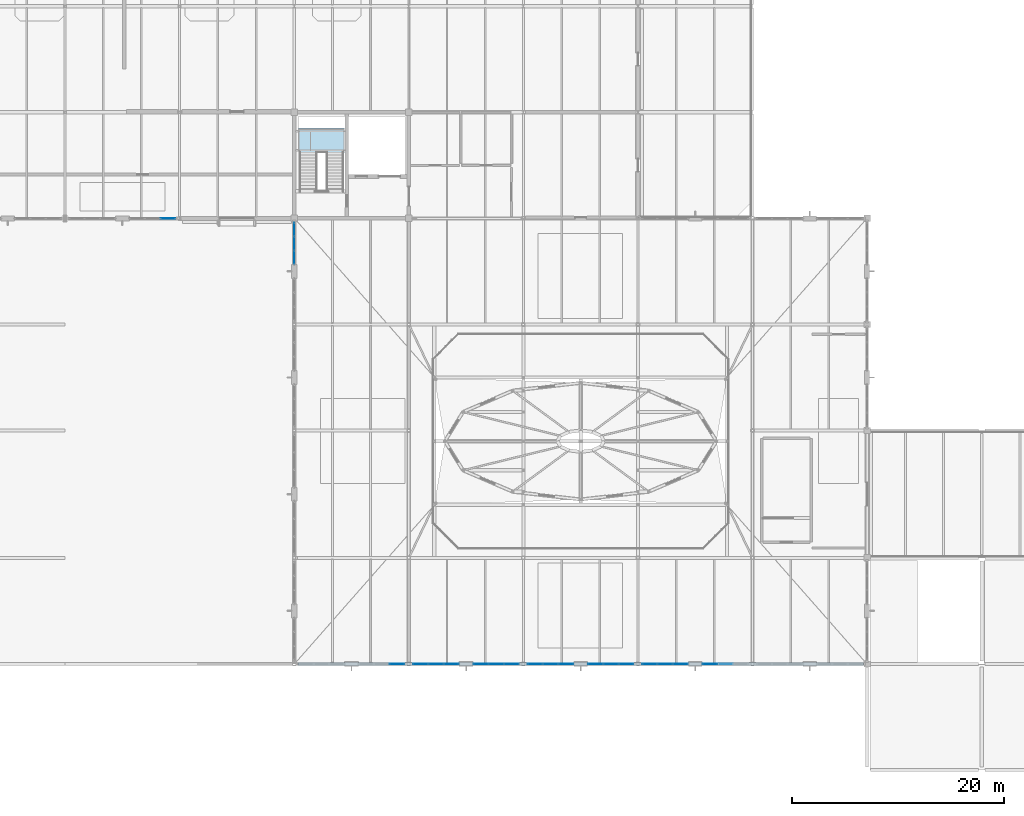
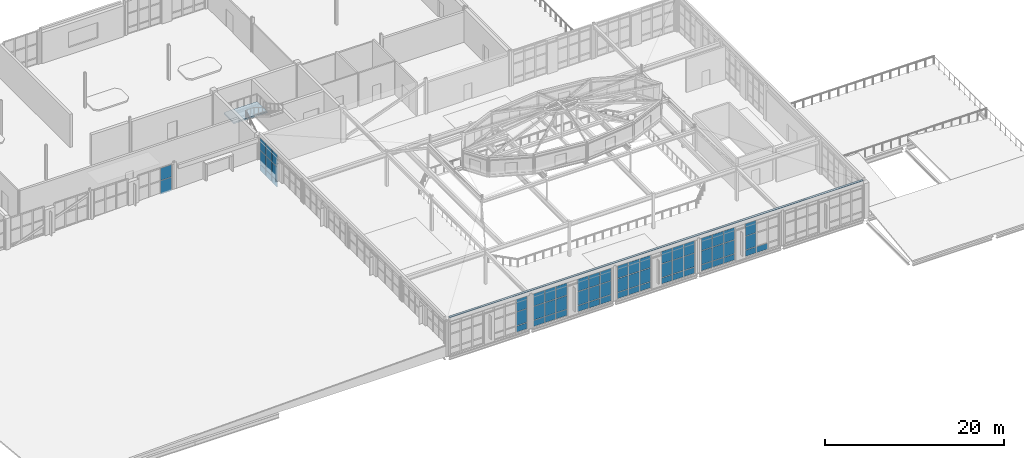
# One storey, part 60 of 86: 64 plates, 1 slab, 10 elements without a shape of their own.
"""IFC4 building model written with IfcOpenShell, lengths in metres."""

from ifc_helpers import new_model, si_unit, direction, frame, origin, origin_2d, place, context, subcontext, project, spatial, polyline, rectangle, outline, extrude, material, layer, layer_set, type_object, element, aggregate, save


model = new_model("IFC4")

# Units and contexts
model_context = context("Model", 3, precision=1e-05, world=origin(), true_north=direction((0.0, 1.0)))
body_context = subcontext(model_context, "Body", "Model", "MODEL_VIEW")
ifc_project = project(units=[si_unit("LENGTHUNIT", "METRE"), si_unit("AREAUNIT", "SQUARE_METRE"), si_unit("VOLUMEUNIT", "CUBIC_METRE"), si_unit("PLANEANGLEUNIT", "RADIAN"), si_unit("MASSUNIT", "GRAM", prefix="KILO")], contexts=[model_context])

# Site, building, storey
site_placement = place(None, origin())
site = spatial("IfcSite", under=ifc_project, at=site_placement, CompositionType="ELEMENT")
building_placement = place(site_placement, origin())
building = spatial("IfcBuilding", under=site, at=building_placement, Name="Tasgan Crest Museum", CompositionType="ELEMENT")
storey_placement = place(building_placement, frame((0.0, 0.0, 24.0)))
storey = spatial("IfcBuildingStorey", under=building, at=storey_placement, Name="L04", CompositionType="ELEMENT", Elevation=24.0)

# Curtain wall, plates
ifc_material_1 = material(Name="Triple-Glazed Aluminium Curtain Wall", Category="aluminium")
ifc_layer_1 = layer(ifc_material_1, 0.179931640625, Name="CW-DRUM-Y10-48")
ifc_layer_set_1 = layer_set([ifc_layer_1], Name="Triple-Glazed Aluminium Curtain Wall")
curtain_wall_type_1 = type_object("IfcCurtainWallType", Name="CW-DRUM-Y10-48", PredefinedType="NOTDEFINED", material=ifc_layer_set_1)
curtain_wall_1_placement = place(storey_placement, origin())
curtain_wall_1 = element("IfcCurtainWall", 1, at=curtain_wall_1_placement, inside=storey, type_object=curtain_wall_type_1, Name="Curtain wall L04 177", PredefinedType="NOTDEFINED")
ifc_material_2 = material(Name="Insulated Spandrel Glass", Category="glass")
ifc_layer_2 = layer(ifc_material_2, 0.052001953125, Name="CW-PANEL-SPANDREL")
ifc_layer_set_2 = layer_set([ifc_layer_2], Name="Insulated Spandrel Glass")
plate_type_1 = type_object("IfcPlateType", Name="CW-PANEL-SPANDREL", PredefinedType="CURTAIN_PANEL", material=ifc_layer_set_2)
plate_1_placement = place(storey_placement, frame((54.0, 80.955078125, 0.06005859375), z_axis=(0.0, 0.0, 1.0), x_axis=(0.0, -1.0, 0.0)))
plate_1 = element("IfcPlate", 2, at=plate_1_placement, type_object=plate_type_1, Name="CW04 panel 1.1", PredefinedType="CURTAIN_PANEL", context=body_context, shape_type="SweptSolid", body=[
    extrude(rectangle(XDim=1.239990234375, YDim=0.028076171875, at=origin_2d()), origin(), (0.0, 0.0, 1.0), 0.81005859375),
])
plate_2_placement = place(storey_placement, frame((54.0, 79.639892578125, 0.06005859375), z_axis=(0.0, 0.0, 1.0), x_axis=(0.0, -1.0, 0.0)))
plate_2 = element("IfcPlate", 3, at=plate_2_placement, type_object=plate_type_1, Name="CW04 panel 2.1", PredefinedType="CURTAIN_PANEL", context=body_context, shape_type="SweptSolid", body=[
    extrude(rectangle(XDim=1.27001953125, YDim=0.028076171875, at=origin_2d()), origin(), (0.0, 0.0, 1.0), 0.81005859375),
])
plate_3_placement = place(storey_placement, frame((54.0, 78.324951171875, 0.06005859375), z_axis=(0.0, 0.0, 1.0), x_axis=(0.0, -1.0, 0.0)))
plate_3 = element("IfcPlate", 4, at=plate_3_placement, type_object=plate_type_1, Name="CW04 panel 3.1", PredefinedType="CURTAIN_PANEL", context=body_context, shape_type="SweptSolid", body=[
    extrude(rectangle(XDim=1.239990234375, YDim=0.028076171875, at=origin_2d()), origin(), (0.0, 0.0, 1.0), 0.81005859375),
])

# Curtain wall, plate
ifc_material_3 = material(Name="Triple-Glazed Aluminium Curtain Wall", Category="aluminium")
ifc_layer_3 = layer(ifc_material_3, 0.179931640625, Name="CW-DRUM-X-48")
ifc_layer_set_3 = layer_set([ifc_layer_3], Name="Triple-Glazed Aluminium Curtain Wall")
curtain_wall_type_2 = type_object("IfcCurtainWallType", Name="CW-DRUM-X-48", PredefinedType="NOTDEFINED", material=ifc_layer_set_3)
curtain_wall_2_placement = place(storey_placement, origin())
curtain_wall_2 = element("IfcCurtainWall", 5, at=curtain_wall_2_placement, inside=storey, type_object=curtain_wall_type_2, Name="Curtain wall L04 186", PredefinedType="NOTDEFINED")
plate_4_placement = place(storey_placement, frame((63.688232421875, 40.0, 0.06005859375), z_axis=(0.0, 0.0, 1.0), x_axis=(1.0, 0.0, 0.0)))
plate_4 = element("IfcPlate", 6, at=plate_4_placement, type_object=plate_type_1, Name="CW03 panel 3.1", PredefinedType="CURTAIN_PANEL", context=body_context, shape_type="SweptSolid", body=[
    extrude(rectangle(XDim=1.373291015625, YDim=0.028076171875, at=origin_2d()), origin(), (0.0, 0.0, 1.0), 0.81005859375),
])

# Curtain wall, plates
curtain_wall_3_placement = place(storey_placement, origin())
curtain_wall_3 = element("IfcCurtainWall", 7, at=curtain_wall_3_placement, inside=storey, type_object=curtain_wall_type_2, Name="Curtain wall L04 187", PredefinedType="NOTDEFINED")
plate_5_placement = place(storey_placement, frame((65.91162109375, 40.0, 0.06005859375), z_axis=(0.0, 0.0, 1.0), x_axis=(1.0, 0.0, 0.0)))
plate_5 = element("IfcPlate", 8, at=plate_5_placement, type_object=plate_type_1, Name="CW03 panel 1.1", PredefinedType="CURTAIN_PANEL", context=body_context, shape_type="SweptSolid", body=[
    extrude(rectangle(XDim=1.373291015625, YDim=0.028076171875, at=origin_2d()), origin(), (0.0, 0.0, 1.0), 0.81005859375),
])
plate_6_placement = place(storey_placement, frame((67.360107421875, 40.0, 0.06005859375), z_axis=(0.0, 0.0, 1.0), x_axis=(1.0, 0.0, 0.0)))
plate_6 = element("IfcPlate", 9, at=plate_6_placement, type_object=plate_type_1, Name="CW03 panel 2.1", PredefinedType="CURTAIN_PANEL", context=body_context, shape_type="SweptSolid", body=[
    extrude(rectangle(XDim=1.4033203125, YDim=0.028076171875, at=origin_2d()), origin(), (0.0, 0.0, 1.0), 0.81005859375),
])
plate_7_placement = place(storey_placement, frame((68.808349609375, 40.0, 0.06005859375), z_axis=(0.0, 0.0, 1.0), x_axis=(1.0, 0.0, 0.0)))
plate_7 = element("IfcPlate", 10, at=plate_7_placement, type_object=plate_type_1, Name="CW03 panel 3.1", PredefinedType="CURTAIN_PANEL", context=body_context, shape_type="SweptSolid", body=[
    extrude(rectangle(XDim=1.373291015625, YDim=0.028076171875, at=origin_2d()), origin(), (0.0, 0.0, 1.0), 0.81005859375),
])

curtain_wall_4_placement = place(storey_placement, origin())
curtain_wall_4 = element("IfcCurtainWall", 11, at=curtain_wall_4_placement, inside=storey, type_object=curtain_wall_type_2, Name="Curtain wall L04 188", PredefinedType="NOTDEFINED")
plate_8_placement = place(storey_placement, frame((71.591552734375, 40.0, 0.06005859375), z_axis=(0.0, 0.0, 1.0), x_axis=(1.0, 0.0, 0.0)))
plate_8 = element("IfcPlate", 12, at=plate_8_placement, type_object=plate_type_1, Name="CW03 panel 1.1", PredefinedType="CURTAIN_PANEL", context=body_context, shape_type="SweptSolid", body=[
    extrude(rectangle(XDim=1.373291015625, YDim=0.028076171875, at=origin_2d()), origin(), (0.0, 0.0, 1.0), 0.81005859375),
])
plate_9_placement = place(storey_placement, frame((73.0400390625, 40.0, 0.06005859375), z_axis=(0.0, 0.0, 1.0), x_axis=(1.0, 0.0, 0.0)))
plate_9 = element("IfcPlate", 13, at=plate_9_placement, type_object=plate_type_1, Name="CW03 panel 2.1", PredefinedType="CURTAIN_PANEL", context=body_context, shape_type="SweptSolid", body=[
    extrude(rectangle(XDim=1.4033203125, YDim=0.028076171875, at=origin_2d()), origin(), (0.0, 0.0, 1.0), 0.81005859375),
])
plate_10_placement = place(storey_placement, frame((74.48828125, 40.0, 0.06005859375), z_axis=(0.0, 0.0, 1.0), x_axis=(1.0, 0.0, 0.0)))
plate_10 = element("IfcPlate", 14, at=plate_10_placement, type_object=plate_type_1, Name="CW03 panel 3.1", PredefinedType="CURTAIN_PANEL", context=body_context, shape_type="SweptSolid", body=[
    extrude(rectangle(XDim=1.373291015625, YDim=0.028076171875, at=origin_2d()), origin(), (0.0, 0.0, 1.0), 0.81005859375),
])

curtain_wall_5_placement = place(storey_placement, origin())
curtain_wall_5 = element("IfcCurtainWall", 15, at=curtain_wall_5_placement, inside=storey, type_object=curtain_wall_type_2, Name="Curtain wall L04 189", PredefinedType="NOTDEFINED")
plate_11_placement = place(storey_placement, frame((76.711669921875, 40.0, 0.06005859375), z_axis=(0.0, 0.0, 1.0), x_axis=(1.0, 0.0, 0.0)))
plate_11 = element("IfcPlate", 16, at=plate_11_placement, type_object=plate_type_1, Name="CW03 panel 1.1", PredefinedType="CURTAIN_PANEL", context=body_context, shape_type="SweptSolid", body=[
    extrude(rectangle(XDim=1.373291015625, YDim=0.028076171875, at=origin_2d()), origin(), (0.0, 0.0, 1.0), 0.81005859375),
])
plate_12_placement = place(storey_placement, frame((78.159912109375, 40.0, 0.06005859375), z_axis=(0.0, 0.0, 1.0), x_axis=(1.0, 0.0, 0.0)))
plate_12 = element("IfcPlate", 17, at=plate_12_placement, type_object=plate_type_1, Name="CW03 panel 2.1", PredefinedType="CURTAIN_PANEL", context=body_context, shape_type="SweptSolid", body=[
    extrude(rectangle(XDim=1.4033203125, YDim=0.028076171875, at=origin_2d()), origin(), (0.0, 0.0, 1.0), 0.81005859375),
])
plate_13_placement = place(storey_placement, frame((79.6083984375, 40.0, 0.06005859375), z_axis=(0.0, 0.0, 1.0), x_axis=(1.0, 0.0, 0.0)))
plate_13 = element("IfcPlate", 18, at=plate_13_placement, type_object=plate_type_1, Name="CW03 panel 3.1", PredefinedType="CURTAIN_PANEL", context=body_context, shape_type="SweptSolid", body=[
    extrude(rectangle(XDim=1.373291015625, YDim=0.028076171875, at=origin_2d()), origin(), (0.0, 0.0, 1.0), 0.81005859375),
])

curtain_wall_6_placement = place(storey_placement, origin())
curtain_wall_6 = element("IfcCurtainWall", 19, at=curtain_wall_6_placement, inside=storey, type_object=curtain_wall_type_2, Name="Curtain wall L04 190", PredefinedType="NOTDEFINED")
plate_14_placement = place(storey_placement, frame((82.3916015625, 40.0, 0.06005859375), z_axis=(0.0, 0.0, 1.0), x_axis=(1.0, 0.0, 0.0)))
plate_14 = element("IfcPlate", 20, at=plate_14_placement, type_object=plate_type_1, Name="CW03 panel 1.1", PredefinedType="CURTAIN_PANEL", context=body_context, shape_type="SweptSolid", body=[
    extrude(rectangle(XDim=1.373291015625, YDim=0.028076171875, at=origin_2d()), origin(), (0.0, 0.0, 1.0), 0.81005859375),
])
plate_15_placement = place(storey_placement, frame((83.840087890625, 40.0, 0.06005859375), z_axis=(0.0, 0.0, 1.0), x_axis=(1.0, 0.0, 0.0)))
plate_15 = element("IfcPlate", 21, at=plate_15_placement, type_object=plate_type_1, Name="CW03 panel 2.1", PredefinedType="CURTAIN_PANEL", context=body_context, shape_type="SweptSolid", body=[
    extrude(rectangle(XDim=1.4033203125, YDim=0.028076171875, at=origin_2d()), origin(), (0.0, 0.0, 1.0), 0.81005859375),
])
plate_16_placement = place(storey_placement, frame((85.288330078125, 40.0, 0.06005859375), z_axis=(0.0, 0.0, 1.0), x_axis=(1.0, 0.0, 0.0)))
plate_16 = element("IfcPlate", 22, at=plate_16_placement, type_object=plate_type_1, Name="CW03 panel 3.1", PredefinedType="CURTAIN_PANEL", context=body_context, shape_type="SweptSolid", body=[
    extrude(rectangle(XDim=1.373291015625, YDim=0.028076171875, at=origin_2d()), origin(), (0.0, 0.0, 1.0), 0.81005859375),
])

curtain_wall_7_placement = place(storey_placement, origin())
curtain_wall_7 = element("IfcCurtainWall", 23, at=curtain_wall_7_placement, inside=storey, type_object=curtain_wall_type_2, Name="Curtain wall L04 191", PredefinedType="NOTDEFINED")
plate_17_placement = place(storey_placement, frame((87.51171875, 40.0, 0.06005859375), z_axis=(0.0, 0.0, 1.0), x_axis=(1.0, 0.0, 0.0)))
plate_17 = element("IfcPlate", 24, at=plate_17_placement, type_object=plate_type_1, Name="CW03 panel 1.1", PredefinedType="CURTAIN_PANEL", context=body_context, shape_type="SweptSolid", body=[
    extrude(rectangle(XDim=1.373291015625, YDim=0.028076171875, at=origin_2d()), origin(), (0.0, 0.0, 1.0), 0.81005859375),
])
plate_18_placement = place(storey_placement, frame((88.9599609375, 40.0, 0.06005859375), z_axis=(0.0, 0.0, 1.0), x_axis=(1.0, 0.0, 0.0)))
plate_18 = element("IfcPlate", 25, at=plate_18_placement, type_object=plate_type_1, Name="CW03 panel 2.1", PredefinedType="CURTAIN_PANEL", context=body_context, shape_type="SweptSolid", body=[
    extrude(rectangle(XDim=1.4033203125, YDim=0.028076171875, at=origin_2d()), origin(), (0.0, 0.0, 1.0), 0.81005859375),
])
plate_19_placement = place(storey_placement, frame((90.408447265625, 40.0, 0.06005859375), z_axis=(0.0, 0.0, 1.0), x_axis=(1.0, 0.0, 0.0)))
plate_19 = element("IfcPlate", 26, at=plate_19_placement, type_object=plate_type_1, Name="CW03 panel 3.1", PredefinedType="CURTAIN_PANEL", context=body_context, shape_type="SweptSolid", body=[
    extrude(rectangle(XDim=1.373291015625, YDim=0.028076171875, at=origin_2d()), origin(), (0.0, 0.0, 1.0), 0.81005859375),
])

curtain_wall_8_placement = place(storey_placement, origin())
curtain_wall_8 = element("IfcCurtainWall", 27, at=curtain_wall_8_placement, inside=storey, type_object=curtain_wall_type_2, Name="Curtain wall L04 192", PredefinedType="NOTDEFINED")
plate_20_placement = place(storey_placement, frame((93.191650390625, 40.0, 0.06005859375), z_axis=(0.0, 0.0, 1.0), x_axis=(1.0, 0.0, 0.0)))
plate_20 = element("IfcPlate", 28, at=plate_20_placement, type_object=plate_type_1, Name="CW03 panel 1.1", PredefinedType="CURTAIN_PANEL", context=body_context, shape_type="SweptSolid", body=[
    extrude(rectangle(XDim=1.373291015625, YDim=0.028076171875, at=origin_2d()), origin(), (0.0, 0.0, 1.0), 0.81005859375),
])
plate_21_placement = place(storey_placement, frame((94.639892578125, 40.0, 0.06005859375), z_axis=(0.0, 0.0, 1.0), x_axis=(1.0, 0.0, 0.0)))
plate_21 = element("IfcPlate", 29, at=plate_21_placement, type_object=plate_type_1, Name="CW03 panel 2.1", PredefinedType="CURTAIN_PANEL", context=body_context, shape_type="SweptSolid", body=[
    extrude(rectangle(XDim=1.4033203125, YDim=0.028076171875, at=origin_2d()), origin(), (0.0, 0.0, 1.0), 0.81005859375),
])

ifc_material_4 = material(Name="Triple-Glazed Aluminium Curtain Wall", Category="aluminium")
ifc_layer_4 = layer(ifc_material_4, 0.179931640625, Name="CW-GAL-X-48")
ifc_layer_set_4 = layer_set([ifc_layer_4], Name="Triple-Glazed Aluminium Curtain Wall")
curtain_wall_type_3 = type_object("IfcCurtainWallType", Name="CW-GAL-X-48", PredefinedType="NOTDEFINED", material=ifc_layer_set_4)
curtain_wall_9_placement = place(storey_placement, origin())
curtain_wall_9 = element("IfcCurtainWall", 30, at=curtain_wall_9_placement, inside=storey, type_object=curtain_wall_type_3, Name="Curtain wall L04 176", PredefinedType="NOTDEFINED")
ifc_material_5 = material(Name="Low-E Triple Glazing", Category="glass")
ifc_layer_5 = layer(ifc_material_5, 0.0439453125, Name="CW-PANEL-TRIPLE")
ifc_layer_set_5 = layer_set([ifc_layer_5], Name="Low-E Triple Glazing")
plate_type_2 = type_object("IfcPlateType", Name="CW-PANEL-TRIPLE", PredefinedType="CURTAIN_PANEL", material=ifc_layer_set_5)
plate_22_placement = place(storey_placement, frame((42.08837890625, 82.0, 0.93017578125), z_axis=(0.0, 0.0, 1.0), x_axis=(1.0, 0.0, 0.0)))
plate_22 = element("IfcPlate", 31, at=plate_22_placement, type_object=plate_type_2, Name="CW13 panel 3.2", PredefinedType="CURTAIN_PANEL", context=body_context, shape_type="SweptSolid", body=[
    extrude(rectangle(XDim=1.373291015625, YDim=0.028076171875, at=origin_2d()), origin(), (0.0, 0.0, 1.0), 1.840087890625),
])
plate_23_placement = place(storey_placement, frame((42.08837890625, 82.0, 2.830078125), z_axis=(0.0, 0.0, 1.0), x_axis=(1.0, 0.0, 0.0)))
plate_23 = element("IfcPlate", 32, at=plate_23_placement, type_object=plate_type_2, Name="CW13 panel 3.3", PredefinedType="CURTAIN_PANEL", context=body_context, shape_type="SweptSolid", body=[
    extrude(rectangle(XDim=1.373291015625, YDim=0.028076171875, at=origin_2d()), origin(), (0.0, 0.0, 1.0), 1.669921875),
])
aggregate(curtain_wall_9, [plate_22, plate_23])

# Plate
plate_24_placement = place(storey_placement, frame((54.0, 80.955078125, 0.93017578125), z_axis=(0.0, 0.0, 1.0), x_axis=(0.0, -1.0, 0.0)))
plate_24 = element("IfcPlate", 33, at=plate_24_placement, type_object=plate_type_2, Name="CW04 panel 1.2", PredefinedType="CURTAIN_PANEL", context=body_context, shape_type="SweptSolid", body=[
    extrude(rectangle(XDim=1.239990234375, YDim=0.028076171875, at=origin_2d()), origin(), (0.0, 0.0, 1.0), 1.840087890625),
])

plate_25_placement = place(storey_placement, frame((54.0, 80.955078125, 2.830078125), z_axis=(0.0, 0.0, 1.0), x_axis=(0.0, -1.0, 0.0)))
plate_25 = element("IfcPlate", 34, at=plate_25_placement, type_object=plate_type_2, Name="CW04 panel 1.3", PredefinedType="CURTAIN_PANEL", context=body_context, shape_type="SweptSolid", body=[
    extrude(rectangle(XDim=1.239990234375, YDim=0.028076171875, at=origin_2d()), origin(), (0.0, 0.0, 1.0), 1.669921875),
])

plate_26_placement = place(storey_placement, frame((54.0, 79.639892578125, 0.93017578125), z_axis=(0.0, 0.0, 1.0), x_axis=(0.0, -1.0, 0.0)))
plate_26 = element("IfcPlate", 35, at=plate_26_placement, type_object=plate_type_2, Name="CW04 panel 2.2", PredefinedType="CURTAIN_PANEL", context=body_context, shape_type="SweptSolid", body=[
    extrude(rectangle(XDim=1.27001953125, YDim=0.028076171875, at=origin_2d()), origin(), (0.0, 0.0, 1.0), 1.840087890625),
])

plate_27_placement = place(storey_placement, frame((54.0, 79.639892578125, 2.830078125), z_axis=(0.0, 0.0, 1.0), x_axis=(0.0, -1.0, 0.0)))
plate_27 = element("IfcPlate", 36, at=plate_27_placement, type_object=plate_type_2, Name="CW04 panel 2.3", PredefinedType="CURTAIN_PANEL", context=body_context, shape_type="SweptSolid", body=[
    extrude(rectangle(XDim=1.27001953125, YDim=0.028076171875, at=origin_2d()), origin(), (0.0, 0.0, 1.0), 1.669921875),
])

plate_28_placement = place(storey_placement, frame((54.0, 78.324951171875, 0.93017578125), z_axis=(0.0, 0.0, 1.0), x_axis=(0.0, -1.0, 0.0)))
plate_28 = element("IfcPlate", 37, at=plate_28_placement, type_object=plate_type_2, Name="CW04 panel 3.2", PredefinedType="CURTAIN_PANEL", context=body_context, shape_type="SweptSolid", body=[
    extrude(rectangle(XDim=1.239990234375, YDim=0.028076171875, at=origin_2d()), origin(), (0.0, 0.0, 1.0), 1.840087890625),
])

plate_29_placement = place(storey_placement, frame((54.0, 78.324951171875, 2.830078125), z_axis=(0.0, 0.0, 1.0), x_axis=(0.0, -1.0, 0.0)))
plate_29 = element("IfcPlate", 38, at=plate_29_placement, type_object=plate_type_2, Name="CW04 panel 3.3", PredefinedType="CURTAIN_PANEL", context=body_context, shape_type="SweptSolid", body=[
    extrude(rectangle(XDim=1.239990234375, YDim=0.028076171875, at=origin_2d()), origin(), (0.0, 0.0, 1.0), 1.669921875),
])

aggregate(curtain_wall_1, [plate_1, plate_24, plate_25, plate_2, plate_26, plate_27, plate_3, plate_28, plate_29])

plate_30_placement = place(storey_placement, frame((63.688232421875, 40.0, 0.93017578125), z_axis=(0.0, 0.0, 1.0), x_axis=(1.0, 0.0, 0.0)))
plate_30 = element("IfcPlate", 39, at=plate_30_placement, type_object=plate_type_2, Name="CW03 panel 3.2", PredefinedType="CURTAIN_PANEL", context=body_context, shape_type="SweptSolid", body=[
    extrude(rectangle(XDim=1.373291015625, YDim=0.028076171875, at=origin_2d()), origin(), (0.0, 0.0, 1.0), 1.840087890625),
])

plate_31_placement = place(storey_placement, frame((63.688232421875, 40.0, 2.830078125), z_axis=(0.0, 0.0, 1.0), x_axis=(1.0, 0.0, 0.0)))
plate_31 = element("IfcPlate", 40, at=plate_31_placement, type_object=plate_type_2, Name="CW03 panel 3.3", PredefinedType="CURTAIN_PANEL", context=body_context, shape_type="SweptSolid", body=[
    extrude(rectangle(XDim=1.373291015625, YDim=0.028076171875, at=origin_2d()), origin(), (0.0, 0.0, 1.0), 1.669921875),
])

aggregate(curtain_wall_2, [plate_4, plate_30, plate_31])

plate_32_placement = place(storey_placement, frame((65.91162109375, 40.0, 0.93017578125), z_axis=(0.0, 0.0, 1.0), x_axis=(1.0, 0.0, 0.0)))
plate_32 = element("IfcPlate", 41, at=plate_32_placement, type_object=plate_type_2, Name="CW03 panel 1.2", PredefinedType="CURTAIN_PANEL", context=body_context, shape_type="SweptSolid", body=[
    extrude(rectangle(XDim=1.373291015625, YDim=0.028076171875, at=origin_2d()), origin(), (0.0, 0.0, 1.0), 1.840087890625),
])

plate_33_placement = place(storey_placement, frame((65.91162109375, 40.0, 2.830078125), z_axis=(0.0, 0.0, 1.0), x_axis=(1.0, 0.0, 0.0)))
plate_33 = element("IfcPlate", 42, at=plate_33_placement, type_object=plate_type_2, Name="CW03 panel 1.3", PredefinedType="CURTAIN_PANEL", context=body_context, shape_type="SweptSolid", body=[
    extrude(rectangle(XDim=1.373291015625, YDim=0.028076171875, at=origin_2d()), origin(), (0.0, 0.0, 1.0), 1.669921875),
])

plate_34_placement = place(storey_placement, frame((67.360107421875, 40.0, 0.93017578125), z_axis=(0.0, 0.0, 1.0), x_axis=(1.0, 0.0, 0.0)))
plate_34 = element("IfcPlate", 43, at=plate_34_placement, type_object=plate_type_2, Name="CW03 panel 2.2", PredefinedType="CURTAIN_PANEL", context=body_context, shape_type="SweptSolid", body=[
    extrude(rectangle(XDim=1.4033203125, YDim=0.028076171875, at=origin_2d()), origin(), (0.0, 0.0, 1.0), 1.840087890625),
])

plate_35_placement = place(storey_placement, frame((67.360107421875, 40.0, 2.830078125), z_axis=(0.0, 0.0, 1.0), x_axis=(1.0, 0.0, 0.0)))
plate_35 = element("IfcPlate", 44, at=plate_35_placement, type_object=plate_type_2, Name="CW03 panel 2.3", PredefinedType="CURTAIN_PANEL", context=body_context, shape_type="SweptSolid", body=[
    extrude(rectangle(XDim=1.4033203125, YDim=0.028076171875, at=origin_2d()), origin(), (0.0, 0.0, 1.0), 1.669921875),
])

plate_36_placement = place(storey_placement, frame((68.808349609375, 40.0, 0.93017578125), z_axis=(0.0, 0.0, 1.0), x_axis=(1.0, 0.0, 0.0)))
plate_36 = element("IfcPlate", 45, at=plate_36_placement, type_object=plate_type_2, Name="CW03 panel 3.2", PredefinedType="CURTAIN_PANEL", context=body_context, shape_type="SweptSolid", body=[
    extrude(rectangle(XDim=1.373291015625, YDim=0.028076171875, at=origin_2d()), origin(), (0.0, 0.0, 1.0), 1.840087890625),
])

plate_37_placement = place(storey_placement, frame((68.808349609375, 40.0, 2.830078125), z_axis=(0.0, 0.0, 1.0), x_axis=(1.0, 0.0, 0.0)))
plate_37 = element("IfcPlate", 46, at=plate_37_placement, type_object=plate_type_2, Name="CW03 panel 3.3", PredefinedType="CURTAIN_PANEL", context=body_context, shape_type="SweptSolid", body=[
    extrude(rectangle(XDim=1.373291015625, YDim=0.028076171875, at=origin_2d()), origin(), (0.0, 0.0, 1.0), 1.669921875),
])

aggregate(curtain_wall_3, [plate_5, plate_32, plate_33, plate_6, plate_34, plate_35, plate_7, plate_36, plate_37])

plate_38_placement = place(storey_placement, frame((71.591552734375, 40.0, 0.93017578125), z_axis=(0.0, 0.0, 1.0), x_axis=(1.0, 0.0, 0.0)))
plate_38 = element("IfcPlate", 47, at=plate_38_placement, type_object=plate_type_2, Name="CW03 panel 1.2", PredefinedType="CURTAIN_PANEL", context=body_context, shape_type="SweptSolid", body=[
    extrude(rectangle(XDim=1.373291015625, YDim=0.028076171875, at=origin_2d()), origin(), (0.0, 0.0, 1.0), 1.840087890625),
])

plate_39_placement = place(storey_placement, frame((71.591552734375, 40.0, 2.830078125), z_axis=(0.0, 0.0, 1.0), x_axis=(1.0, 0.0, 0.0)))
plate_39 = element("IfcPlate", 48, at=plate_39_placement, type_object=plate_type_2, Name="CW03 panel 1.3", PredefinedType="CURTAIN_PANEL", context=body_context, shape_type="SweptSolid", body=[
    extrude(rectangle(XDim=1.373291015625, YDim=0.028076171875, at=origin_2d()), origin(), (0.0, 0.0, 1.0), 1.669921875),
])

plate_40_placement = place(storey_placement, frame((73.0400390625, 40.0, 0.93017578125), z_axis=(0.0, 0.0, 1.0), x_axis=(1.0, 0.0, 0.0)))
plate_40 = element("IfcPlate", 49, at=plate_40_placement, type_object=plate_type_2, Name="CW03 panel 2.2", PredefinedType="CURTAIN_PANEL", context=body_context, shape_type="SweptSolid", body=[
    extrude(rectangle(XDim=1.4033203125, YDim=0.028076171875, at=origin_2d()), origin(), (0.0, 0.0, 1.0), 1.840087890625),
])

plate_41_placement = place(storey_placement, frame((73.0400390625, 40.0, 2.830078125), z_axis=(0.0, 0.0, 1.0), x_axis=(1.0, 0.0, 0.0)))
plate_41 = element("IfcPlate", 50, at=plate_41_placement, type_object=plate_type_2, Name="CW03 panel 2.3", PredefinedType="CURTAIN_PANEL", context=body_context, shape_type="SweptSolid", body=[
    extrude(rectangle(XDim=1.4033203125, YDim=0.028076171875, at=origin_2d()), origin(), (0.0, 0.0, 1.0), 1.669921875),
])

plate_42_placement = place(storey_placement, frame((74.48828125, 40.0, 0.93017578125), z_axis=(0.0, 0.0, 1.0), x_axis=(1.0, 0.0, 0.0)))
plate_42 = element("IfcPlate", 51, at=plate_42_placement, type_object=plate_type_2, Name="CW03 panel 3.2", PredefinedType="CURTAIN_PANEL", context=body_context, shape_type="SweptSolid", body=[
    extrude(rectangle(XDim=1.373291015625, YDim=0.028076171875, at=origin_2d()), origin(), (0.0, 0.0, 1.0), 1.840087890625),
])

plate_43_placement = place(storey_placement, frame((74.48828125, 40.0, 2.830078125), z_axis=(0.0, 0.0, 1.0), x_axis=(1.0, 0.0, 0.0)))
plate_43 = element("IfcPlate", 52, at=plate_43_placement, type_object=plate_type_2, Name="CW03 panel 3.3", PredefinedType="CURTAIN_PANEL", context=body_context, shape_type="SweptSolid", body=[
    extrude(rectangle(XDim=1.373291015625, YDim=0.028076171875, at=origin_2d()), origin(), (0.0, 0.0, 1.0), 1.669921875),
])

aggregate(curtain_wall_4, [plate_8, plate_38, plate_39, plate_9, plate_40, plate_41, plate_10, plate_42, plate_43])

plate_44_placement = place(storey_placement, frame((76.711669921875, 40.0, 0.93017578125), z_axis=(0.0, 0.0, 1.0), x_axis=(1.0, 0.0, 0.0)))
plate_44 = element("IfcPlate", 53, at=plate_44_placement, type_object=plate_type_2, Name="CW03 panel 1.2", PredefinedType="CURTAIN_PANEL", context=body_context, shape_type="SweptSolid", body=[
    extrude(rectangle(XDim=1.373291015625, YDim=0.028076171875, at=origin_2d()), origin(), (0.0, 0.0, 1.0), 1.840087890625),
])

plate_45_placement = place(storey_placement, frame((76.711669921875, 40.0, 2.830078125), z_axis=(0.0, 0.0, 1.0), x_axis=(1.0, 0.0, 0.0)))
plate_45 = element("IfcPlate", 54, at=plate_45_placement, type_object=plate_type_2, Name="CW03 panel 1.3", PredefinedType="CURTAIN_PANEL", context=body_context, shape_type="SweptSolid", body=[
    extrude(rectangle(XDim=1.373291015625, YDim=0.028076171875, at=origin_2d()), origin(), (0.0, 0.0, 1.0), 1.669921875),
])

plate_46_placement = place(storey_placement, frame((78.159912109375, 40.0, 0.93017578125), z_axis=(0.0, 0.0, 1.0), x_axis=(1.0, 0.0, 0.0)))
plate_46 = element("IfcPlate", 55, at=plate_46_placement, type_object=plate_type_2, Name="CW03 panel 2.2", PredefinedType="CURTAIN_PANEL", context=body_context, shape_type="SweptSolid", body=[
    extrude(rectangle(XDim=1.4033203125, YDim=0.028076171875, at=origin_2d()), origin(), (0.0, 0.0, 1.0), 1.840087890625),
])

plate_47_placement = place(storey_placement, frame((78.159912109375, 40.0, 2.830078125), z_axis=(0.0, 0.0, 1.0), x_axis=(1.0, 0.0, 0.0)))
plate_47 = element("IfcPlate", 56, at=plate_47_placement, type_object=plate_type_2, Name="CW03 panel 2.3", PredefinedType="CURTAIN_PANEL", context=body_context, shape_type="SweptSolid", body=[
    extrude(rectangle(XDim=1.4033203125, YDim=0.028076171875, at=origin_2d()), origin(), (0.0, 0.0, 1.0), 1.669921875),
])

plate_48_placement = place(storey_placement, frame((79.6083984375, 40.0, 0.93017578125), z_axis=(0.0, 0.0, 1.0), x_axis=(1.0, 0.0, 0.0)))
plate_48 = element("IfcPlate", 57, at=plate_48_placement, type_object=plate_type_2, Name="CW03 panel 3.2", PredefinedType="CURTAIN_PANEL", context=body_context, shape_type="SweptSolid", body=[
    extrude(rectangle(XDim=1.373291015625, YDim=0.028076171875, at=origin_2d()), origin(), (0.0, 0.0, 1.0), 1.840087890625),
])

plate_49_placement = place(storey_placement, frame((79.6083984375, 40.0, 2.830078125), z_axis=(0.0, 0.0, 1.0), x_axis=(1.0, 0.0, 0.0)))
plate_49 = element("IfcPlate", 58, at=plate_49_placement, type_object=plate_type_2, Name="CW03 panel 3.3", PredefinedType="CURTAIN_PANEL", context=body_context, shape_type="SweptSolid", body=[
    extrude(rectangle(XDim=1.373291015625, YDim=0.028076171875, at=origin_2d()), origin(), (0.0, 0.0, 1.0), 1.669921875),
])

aggregate(curtain_wall_5, [plate_11, plate_44, plate_45, plate_12, plate_46, plate_47, plate_13, plate_48, plate_49])

plate_50_placement = place(storey_placement, frame((82.3916015625, 40.0, 0.93017578125), z_axis=(0.0, 0.0, 1.0), x_axis=(1.0, 0.0, 0.0)))
plate_50 = element("IfcPlate", 59, at=plate_50_placement, type_object=plate_type_2, Name="CW03 panel 1.2", PredefinedType="CURTAIN_PANEL", context=body_context, shape_type="SweptSolid", body=[
    extrude(rectangle(XDim=1.373291015625, YDim=0.028076171875, at=origin_2d()), origin(), (0.0, 0.0, 1.0), 1.840087890625),
])

plate_51_placement = place(storey_placement, frame((82.3916015625, 40.0, 2.830078125), z_axis=(0.0, 0.0, 1.0), x_axis=(1.0, 0.0, 0.0)))
plate_51 = element("IfcPlate", 60, at=plate_51_placement, type_object=plate_type_2, Name="CW03 panel 1.3", PredefinedType="CURTAIN_PANEL", context=body_context, shape_type="SweptSolid", body=[
    extrude(rectangle(XDim=1.373291015625, YDim=0.028076171875, at=origin_2d()), origin(), (0.0, 0.0, 1.0), 1.669921875),
])

plate_52_placement = place(storey_placement, frame((83.840087890625, 40.0, 0.93017578125), z_axis=(0.0, 0.0, 1.0), x_axis=(1.0, 0.0, 0.0)))
plate_52 = element("IfcPlate", 61, at=plate_52_placement, type_object=plate_type_2, Name="CW03 panel 2.2", PredefinedType="CURTAIN_PANEL", context=body_context, shape_type="SweptSolid", body=[
    extrude(rectangle(XDim=1.4033203125, YDim=0.028076171875, at=origin_2d()), origin(), (0.0, 0.0, 1.0), 1.840087890625),
])

plate_53_placement = place(storey_placement, frame((83.840087890625, 40.0, 2.830078125), z_axis=(0.0, 0.0, 1.0), x_axis=(1.0, 0.0, 0.0)))
plate_53 = element("IfcPlate", 62, at=plate_53_placement, type_object=plate_type_2, Name="CW03 panel 2.3", PredefinedType="CURTAIN_PANEL", context=body_context, shape_type="SweptSolid", body=[
    extrude(rectangle(XDim=1.4033203125, YDim=0.028076171875, at=origin_2d()), origin(), (0.0, 0.0, 1.0), 1.669921875),
])

plate_54_placement = place(storey_placement, frame((85.288330078125, 40.0, 0.93017578125), z_axis=(0.0, 0.0, 1.0), x_axis=(1.0, 0.0, 0.0)))
plate_54 = element("IfcPlate", 63, at=plate_54_placement, type_object=plate_type_2, Name="CW03 panel 3.2", PredefinedType="CURTAIN_PANEL", context=body_context, shape_type="SweptSolid", body=[
    extrude(rectangle(XDim=1.373291015625, YDim=0.028076171875, at=origin_2d()), origin(), (0.0, 0.0, 1.0), 1.840087890625),
])

plate_55_placement = place(storey_placement, frame((85.288330078125, 40.0, 2.830078125), z_axis=(0.0, 0.0, 1.0), x_axis=(1.0, 0.0, 0.0)))
plate_55 = element("IfcPlate", 64, at=plate_55_placement, type_object=plate_type_2, Name="CW03 panel 3.3", PredefinedType="CURTAIN_PANEL", context=body_context, shape_type="SweptSolid", body=[
    extrude(rectangle(XDim=1.373291015625, YDim=0.028076171875, at=origin_2d()), origin(), (0.0, 0.0, 1.0), 1.669921875),
])

aggregate(curtain_wall_6, [plate_14, plate_50, plate_51, plate_15, plate_52, plate_53, plate_16, plate_54, plate_55])

plate_56_placement = place(storey_placement, frame((87.51171875, 40.0, 0.93017578125), z_axis=(0.0, 0.0, 1.0), x_axis=(1.0, 0.0, 0.0)))
plate_56 = element("IfcPlate", 65, at=plate_56_placement, type_object=plate_type_2, Name="CW03 panel 1.2", PredefinedType="CURTAIN_PANEL", context=body_context, shape_type="SweptSolid", body=[
    extrude(rectangle(XDim=1.373291015625, YDim=0.028076171875, at=origin_2d()), origin(), (0.0, 0.0, 1.0), 1.840087890625),
])

plate_57_placement = place(storey_placement, frame((87.51171875, 40.0, 2.830078125), z_axis=(0.0, 0.0, 1.0), x_axis=(1.0, 0.0, 0.0)))
plate_57 = element("IfcPlate", 66, at=plate_57_placement, type_object=plate_type_2, Name="CW03 panel 1.3", PredefinedType="CURTAIN_PANEL", context=body_context, shape_type="SweptSolid", body=[
    extrude(rectangle(XDim=1.373291015625, YDim=0.028076171875, at=origin_2d()), origin(), (0.0, 0.0, 1.0), 1.669921875),
])

plate_58_placement = place(storey_placement, frame((88.9599609375, 40.0, 0.93017578125), z_axis=(0.0, 0.0, 1.0), x_axis=(1.0, 0.0, 0.0)))
plate_58 = element("IfcPlate", 67, at=plate_58_placement, type_object=plate_type_2, Name="CW03 panel 2.2", PredefinedType="CURTAIN_PANEL", context=body_context, shape_type="SweptSolid", body=[
    extrude(rectangle(XDim=1.4033203125, YDim=0.028076171875, at=origin_2d()), origin(), (0.0, 0.0, 1.0), 1.840087890625),
])

plate_59_placement = place(storey_placement, frame((88.9599609375, 40.0, 2.830078125), z_axis=(0.0, 0.0, 1.0), x_axis=(1.0, 0.0, 0.0)))
plate_59 = element("IfcPlate", 68, at=plate_59_placement, type_object=plate_type_2, Name="CW03 panel 2.3", PredefinedType="CURTAIN_PANEL", context=body_context, shape_type="SweptSolid", body=[
    extrude(rectangle(XDim=1.4033203125, YDim=0.028076171875, at=origin_2d()), origin(), (0.0, 0.0, 1.0), 1.669921875),
])

plate_60_placement = place(storey_placement, frame((90.408447265625, 40.0, 0.93017578125), z_axis=(0.0, 0.0, 1.0), x_axis=(1.0, 0.0, 0.0)))
plate_60 = element("IfcPlate", 69, at=plate_60_placement, type_object=plate_type_2, Name="CW03 panel 3.2", PredefinedType="CURTAIN_PANEL", context=body_context, shape_type="SweptSolid", body=[
    extrude(rectangle(XDim=1.373291015625, YDim=0.028076171875, at=origin_2d()), origin(), (0.0, 0.0, 1.0), 1.840087890625),
])

plate_61_placement = place(storey_placement, frame((90.408447265625, 40.0, 2.830078125), z_axis=(0.0, 0.0, 1.0), x_axis=(1.0, 0.0, 0.0)))
plate_61 = element("IfcPlate", 70, at=plate_61_placement, type_object=plate_type_2, Name="CW03 panel 3.3", PredefinedType="CURTAIN_PANEL", context=body_context, shape_type="SweptSolid", body=[
    extrude(rectangle(XDim=1.373291015625, YDim=0.028076171875, at=origin_2d()), origin(), (0.0, 0.0, 1.0), 1.669921875),
])

aggregate(curtain_wall_7, [plate_17, plate_56, plate_57, plate_18, plate_58, plate_59, plate_19, plate_60, plate_61])

plate_62_placement = place(storey_placement, frame((93.191650390625, 40.0, 0.93017578125), z_axis=(0.0, 0.0, 1.0), x_axis=(1.0, 0.0, 0.0)))
plate_62 = element("IfcPlate", 71, at=plate_62_placement, type_object=plate_type_2, Name="CW03 panel 1.2", PredefinedType="CURTAIN_PANEL", context=body_context, shape_type="SweptSolid", body=[
    extrude(rectangle(XDim=1.373291015625, YDim=0.028076171875, at=origin_2d()), origin(), (0.0, 0.0, 1.0), 1.840087890625),
])

plate_63_placement = place(storey_placement, frame((93.191650390625, 40.0, 2.830078125), z_axis=(0.0, 0.0, 1.0), x_axis=(1.0, 0.0, 0.0)))
plate_63 = element("IfcPlate", 72, at=plate_63_placement, type_object=plate_type_2, Name="CW03 panel 1.3", PredefinedType="CURTAIN_PANEL", context=body_context, shape_type="SweptSolid", body=[
    extrude(rectangle(XDim=1.373291015625, YDim=0.028076171875, at=origin_2d()), origin(), (0.0, 0.0, 1.0), 1.669921875),
])

aggregate(curtain_wall_8, [plate_20, plate_62, plate_63, plate_21])

ifc_material_6 = material(Name="Pre-weathered Zinc Sheet")
ifc_layer_6 = layer(ifc_material_6, 0.011962890625, Name="PL-FLASH-SHEET")
ifc_layer_set_6 = layer_set([ifc_layer_6], Name="Pre-weathered Zinc Sheet")
plate_type_3 = type_object("IfcPlateType", Name="PL-FLASH-SHEET", PredefinedType="SHEET", material=ifc_layer_set_6)
plate_64_placement = place(storey_placement, frame((81.0, 40.0, 5.14990234375), z_axis=(0.0, 0.0, 1.0), x_axis=(1.0, 0.0, 0.0)))
element("IfcPlate", 73, at=plate_64_placement, inside=storey, type_object=plate_type_3, Name="Zinc parapet coping L04 V2-S", PredefinedType="SHEET", context=body_context, shape_type="SweptSolid", body=[
    extrude(rectangle(XDim=53.300048828125, YDim=0.300048828125, at=origin_2d()), origin(), (0.0, 0.0, 1.0), 0.011962890625),
])

# Stair, slab
ifc_material_7 = material(Name="Concrete C35/45", Category="concrete")
stair_type = type_object("IfcStairType", Name="ST-CORE-48", PredefinedType="HALF_TURN_STAIR", material=ifc_material_7)
stair_placement = place(storey_placement, origin())
stair = element("IfcStair", 74, at=stair_placement, inside=storey, type_object=stair_type, Name="Stair ST-NC-L04 L04", PredefinedType="HALF_TURN_STAIR")
ifc_material_8 = material(Name="Concrete C35/45", Category="concrete")
ifc_layer_7 = layer(ifc_material_8, 0.199951171875, Name="SL-LAND-200")
ifc_layer_set_7 = layer_set([ifc_layer_7], Name="Concrete C35/45")
slab_type = type_object("IfcSlabType", Name="SL-LAND-200", PredefinedType="LANDING", material=ifc_layer_set_7)
slab_placement = place(storey_placement, frame((0.0, 0.0, 2.199951171875)))
slab = element("IfcSlab", 75, at=slab_placement, type_object=slab_type, Name="ST-NC-L04 landing 1", PredefinedType="LANDING", context=body_context, shape_type="SweptSolid", body=[
    extrude(outline(polyline([(54.419921875, 88.205078125), (58.72998046875, 88.205078125), (58.72998046875, 90.455078125), (54.419921875, 90.455078125), (54.419921875, 88.205078125)])), origin(), (0.0, 0.0, 1.0), 0.199951171875),
])
aggregate(stair, [slab])

save(model, "model.ifc")
